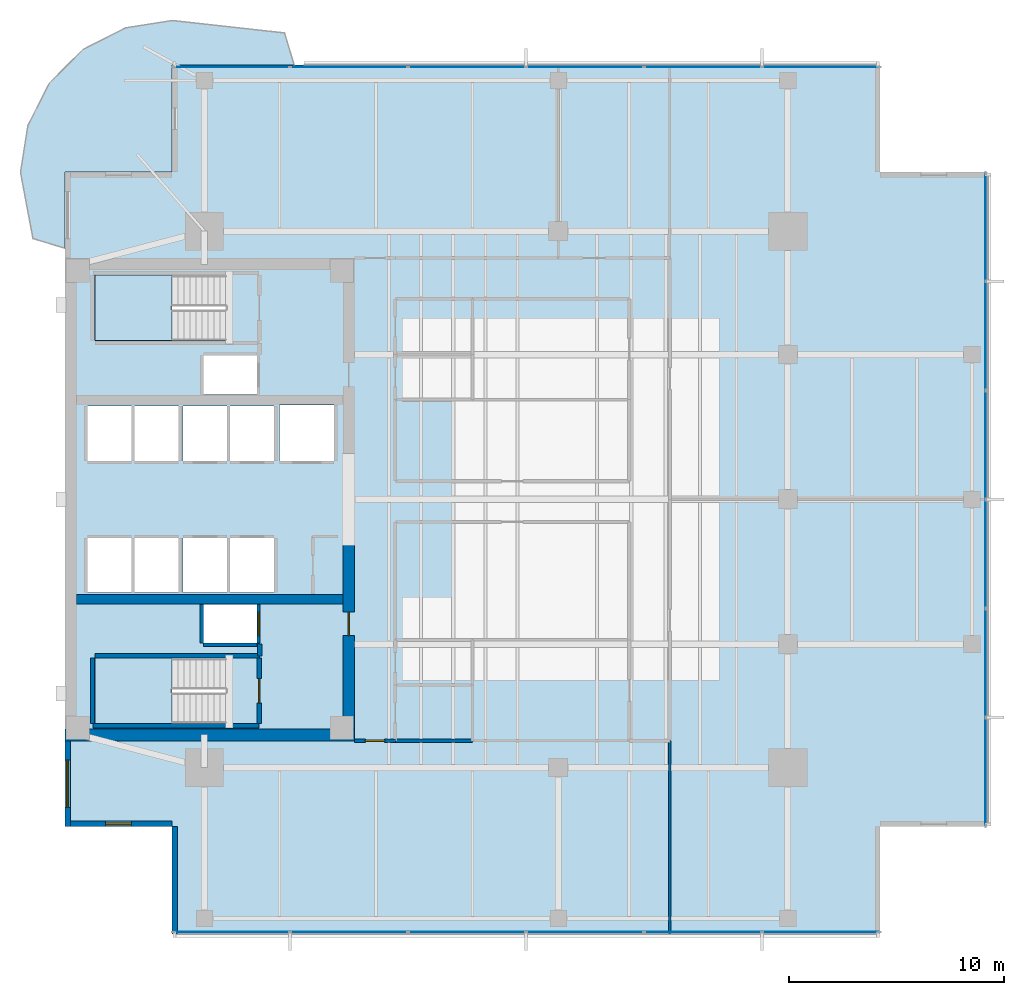
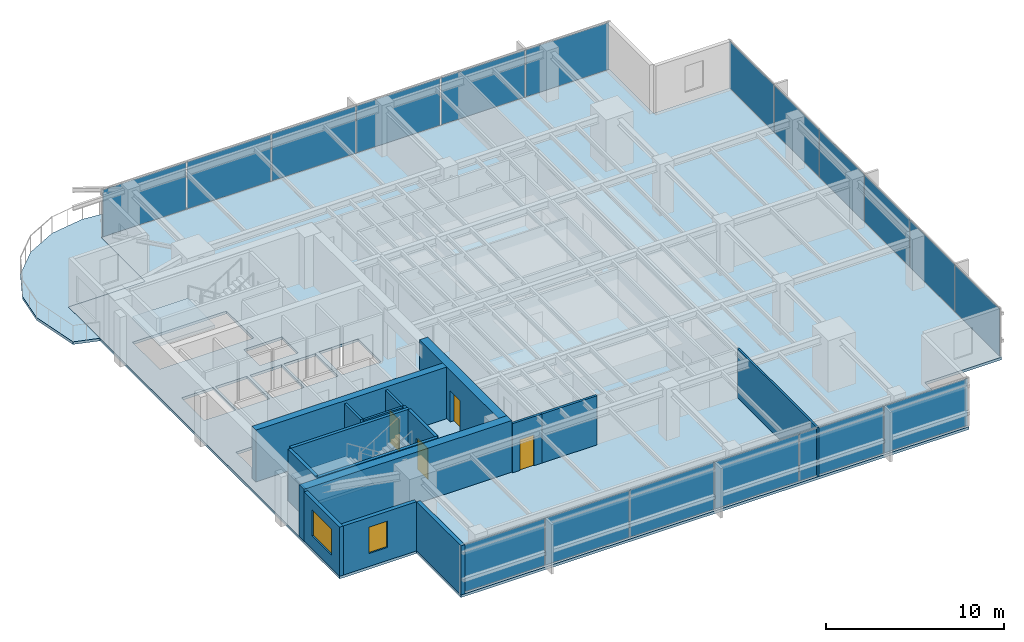
# One storey, part 7 of 14: 18 plates, 17 walls, 4 doors, 4 slabs, 2 windows, 6 openings, 5 elements without a shape of their own.
"""IFC4 building model written with IfcOpenShell, lengths in metres."""

from ifc_helpers import new_model, si_unit, direction, frame, frame_2d, origin, origin_2d, place, context, subcontext, project, spatial, polyline, rectangle, outline, extrude, material, layer, layer_set, type_object, element, fill, aggregate, save


model = new_model("IFC4")

# Units and contexts
model_context = context("Model", 3, precision=1e-05, world=origin(), true_north=direction((0.0, 1.0)))
body_context = subcontext(model_context, "Body", "Model", "MODEL_VIEW")
ifc_project = project(units=[si_unit("LENGTHUNIT", "METRE"), si_unit("AREAUNIT", "SQUARE_METRE"), si_unit("VOLUMEUNIT", "CUBIC_METRE"), si_unit("PLANEANGLEUNIT", "RADIAN"), si_unit("MASSUNIT", "GRAM", prefix="KILO")], contexts=[model_context])

# Site, building, storey
site_placement = place(None, origin())
site = spatial("IfcSite", under=ifc_project, at=site_placement, CompositionType="ELEMENT")
building_placement = place(site_placement, origin())
building = spatial("IfcBuilding", under=site, at=building_placement, Name="Kinhvarn Gate Tower", CompositionType="ELEMENT")
storey_placement = place(building_placement, frame((0.0, 0.0, 188.050048828125)))
storey = spatial("IfcBuildingStorey", under=building, at=storey_placement, Name="L49", CompositionType="ELEMENT", Elevation=188.050048828125)

# Curtain wall, plates
ifc_material_1 = material(Name="Anodised aluminium AW-6063", Category="aluminium")
ifc_layer_1 = layer(ifc_material_1, 0.179931640625)
ifc_layer_set_1 = layer_set([ifc_layer_1], Name="Anodised aluminium AW-6063")
curtain_wall_type = type_object("IfcCurtainWallType", Name="CW-SYS-3", PredefinedType="NOTDEFINED", material=ifc_layer_set_1)
curtain_wall_1_placement = place(storey_placement, origin())
curtain_wall_1 = element("IfcCurtainWall", 1, at=curtain_wall_1_placement, inside=storey, type_object=curtain_wall_type, Name="Curtain Wall CW3 (L49)", PredefinedType="NOTDEFINED")
ifc_material_2 = material(Name="Clear low-e double glazing", Category="glass")
ifc_layer_2 = layer(ifc_material_2, 0.031982421875)
ifc_layer_set_2 = layer_set([ifc_layer_2], Name="Clear low-e double glazing")
plate_type = type_object("IfcPlateType", Name="CW-PNL-VIS", PredefinedType="CURTAIN_PANEL", material=ifc_layer_set_2)
plate_1_placement = place(storey_placement, frame((12.266357421875, 5.090087890625, 0.070068359375), z_axis=(0.0, 0.0, 1.0), x_axis=(1.0, 0.0, 0.0)))
plate_1 = element("IfcPlate", 2, at=plate_1_placement, type_object=plate_type, Name="CW3 panel 1.1", PredefinedType="CURTAIN_PANEL", context=body_context, shape_type="SweptSolid", body=[
    extrude(rectangle(XDim=5.402587890625, YDim=0.031982421875, at=origin_2d()), origin(), (0.0, 0.0, 1.0), 3.22998046875),
])
plate_2_placement = place(storey_placement, frame((17.75, 5.090087890625, 0.070068359375), z_axis=(0.0, 0.0, 1.0), x_axis=(1.0, 0.0, 0.0)))
plate_2 = element("IfcPlate", 3, at=plate_2_placement, type_object=plate_type, Name="CW3 panel 2.1", PredefinedType="CURTAIN_PANEL", context=body_context, shape_type="SweptSolid", body=[
    extrude(rectangle(XDim=5.43505859375, YDim=0.031982421875, at=origin_2d()), origin(), (0.0, 0.0, 1.0), 3.22998046875),
])
plate_3_placement = place(storey_placement, frame((23.25, 5.090087890625, 0.070068359375), z_axis=(0.0, 0.0, 1.0), x_axis=(1.0, 0.0, 0.0)))
plate_3 = element("IfcPlate", 4, at=plate_3_placement, type_object=plate_type, Name="CW3 panel 3.1", PredefinedType="CURTAIN_PANEL", context=body_context, shape_type="SweptSolid", body=[
    extrude(rectangle(XDim=5.43505859375, YDim=0.031982421875, at=origin_2d()), origin(), (0.0, 0.0, 1.0), 3.22998046875),
])
plate_4_placement = place(storey_placement, frame((28.75, 5.090087890625, 0.070068359375), z_axis=(0.0, 0.0, 1.0), x_axis=(1.0, 0.0, 0.0)))
plate_4 = element("IfcPlate", 5, at=plate_4_placement, type_object=plate_type, Name="CW3 panel 4.1", PredefinedType="CURTAIN_PANEL", context=body_context, shape_type="SweptSolid", body=[
    extrude(rectangle(XDim=5.43505859375, YDim=0.031982421875, at=origin_2d()), origin(), (0.0, 0.0, 1.0), 3.22998046875),
])
plate_5_placement = place(storey_placement, frame((34.25, 5.090087890625, 0.070068359375), z_axis=(0.0, 0.0, 1.0), x_axis=(1.0, 0.0, 0.0)))
plate_5 = element("IfcPlate", 6, at=plate_5_placement, type_object=plate_type, Name="CW3 panel 5.1", PredefinedType="CURTAIN_PANEL", context=body_context, shape_type="SweptSolid", body=[
    extrude(rectangle(XDim=5.43505859375, YDim=0.031982421875, at=origin_2d()), origin(), (0.0, 0.0, 1.0), 3.22998046875),
])
plate_6_placement = place(storey_placement, frame((39.733642578125, 5.090087890625, 0.070068359375), z_axis=(0.0, 0.0, 1.0), x_axis=(1.0, 0.0, 0.0)))
plate_6 = element("IfcPlate", 7, at=plate_6_placement, type_object=plate_type, Name="CW3 panel 6.1", PredefinedType="CURTAIN_PANEL", context=body_context, shape_type="SweptSolid", body=[
    extrude(rectangle(XDim=5.402587890625, YDim=0.031982421875, at=origin_2d()), origin(), (0.0, 0.0, 1.0), 3.22998046875),
])
aggregate(curtain_wall_1, [plate_1, plate_2, plate_3, plate_4, plate_5, plate_6])

curtain_wall_2_placement = place(storey_placement, origin())
curtain_wall_2 = element("IfcCurtainWall", 8, at=curtain_wall_2_placement, inside=storey, type_object=curtain_wall_type, Name="Curtain Wall CW3 (L49)", PredefinedType="NOTDEFINED")
plate_7_placement = place(storey_placement, frame((39.733642578125, 45.409912109375, 0.070068359375), z_axis=(0.0, 0.0, 1.0), x_axis=(-1.0, 0.0, 0.0)))
plate_7 = element("IfcPlate", 9, at=plate_7_placement, type_object=plate_type, Name="CW3 panel 1.1", PredefinedType="CURTAIN_PANEL", context=body_context, shape_type="SweptSolid", body=[
    extrude(rectangle(XDim=5.402587890625, YDim=0.031982421875, at=origin_2d()), origin(), (0.0, 0.0, 1.0), 3.22998046875),
])
plate_8_placement = place(storey_placement, frame((34.25, 45.409912109375, 0.070068359375), z_axis=(0.0, 0.0, 1.0), x_axis=(-1.0, 0.0, 0.0)))
plate_8 = element("IfcPlate", 10, at=plate_8_placement, type_object=plate_type, Name="CW3 panel 2.1", PredefinedType="CURTAIN_PANEL", context=body_context, shape_type="SweptSolid", body=[
    extrude(rectangle(XDim=5.43505859375, YDim=0.031982421875, at=origin_2d()), origin(), (0.0, 0.0, 1.0), 3.22998046875),
])
plate_9_placement = place(storey_placement, frame((28.75, 45.409912109375, 0.070068359375), z_axis=(0.0, 0.0, 1.0), x_axis=(-1.0, 0.0, 0.0)))
plate_9 = element("IfcPlate", 11, at=plate_9_placement, type_object=plate_type, Name="CW3 panel 3.1", PredefinedType="CURTAIN_PANEL", context=body_context, shape_type="SweptSolid", body=[
    extrude(rectangle(XDim=5.43505859375, YDim=0.031982421875, at=origin_2d()), origin(), (0.0, 0.0, 1.0), 3.22998046875),
])
plate_10_placement = place(storey_placement, frame((23.25, 45.409912109375, 0.070068359375), z_axis=(0.0, 0.0, 1.0), x_axis=(-1.0, 0.0, 0.0)))
plate_10 = element("IfcPlate", 12, at=plate_10_placement, type_object=plate_type, Name="CW3 panel 4.1", PredefinedType="CURTAIN_PANEL", context=body_context, shape_type="SweptSolid", body=[
    extrude(rectangle(XDim=5.43505859375, YDim=0.031982421875, at=origin_2d()), origin(), (0.0, 0.0, 1.0), 3.22998046875),
])
plate_11_placement = place(storey_placement, frame((17.75, 45.409912109375, 0.070068359375), z_axis=(0.0, 0.0, 1.0), x_axis=(-1.0, 0.0, 0.0)))
plate_11 = element("IfcPlate", 13, at=plate_11_placement, type_object=plate_type, Name="CW3 panel 5.1", PredefinedType="CURTAIN_PANEL", context=body_context, shape_type="SweptSolid", body=[
    extrude(rectangle(XDim=5.43505859375, YDim=0.031982421875, at=origin_2d()), origin(), (0.0, 0.0, 1.0), 3.22998046875),
])
plate_12_placement = place(storey_placement, frame((12.266357421875, 45.409912109375, 0.070068359375), z_axis=(0.0, 0.0, 1.0), x_axis=(-1.0, 0.0, 0.0)))
plate_12 = element("IfcPlate", 14, at=plate_12_placement, type_object=plate_type, Name="CW3 panel 6.1", PredefinedType="CURTAIN_PANEL", context=body_context, shape_type="SweptSolid", body=[
    extrude(rectangle(XDim=5.402587890625, YDim=0.031982421875, at=origin_2d()), origin(), (0.0, 0.0, 1.0), 3.22998046875),
])
aggregate(curtain_wall_2, [plate_7, plate_8, plate_9, plate_10, plate_11, plate_12])

curtain_wall_3_placement = place(storey_placement, origin())
curtain_wall_3 = element("IfcCurtainWall", 15, at=curtain_wall_3_placement, inside=storey, type_object=curtain_wall_type, Name="Curtain Wall CW3 (L49)", PredefinedType="NOTDEFINED")
plate_13_placement = place(storey_placement, frame((47.409912109375, 12.557861328125, 0.070068359375), z_axis=(0.0, 0.0, 1.0), x_axis=(0.0, 1.0, 0.0)))
plate_13 = element("IfcPlate", 16, at=plate_13_placement, type_object=plate_type, Name="CW3 panel 1.1", PredefinedType="CURTAIN_PANEL", context=body_context, shape_type="SweptSolid", body=[
    extrude(rectangle(XDim=4.98583984375, YDim=0.031982421875, at=origin_2d()), origin(), (0.0, 0.0, 1.0), 3.22998046875),
])
plate_14_placement = place(storey_placement, frame((47.409912109375, 17.625, 0.070068359375), z_axis=(0.0, 0.0, 1.0), x_axis=(0.0, 1.0, 0.0)))
plate_14 = element("IfcPlate", 17, at=plate_14_placement, type_object=plate_type, Name="CW3 panel 2.1", PredefinedType="CURTAIN_PANEL", context=body_context, shape_type="SweptSolid", body=[
    extrude(rectangle(XDim=5.018310546875, YDim=0.031982421875, at=origin_2d()), origin(), (0.0, 0.0, 1.0), 3.22998046875),
])
plate_15_placement = place(storey_placement, frame((47.409912109375, 22.708251953125, 0.070068359375), z_axis=(0.0, 0.0, 1.0), x_axis=(0.0, 1.0, 0.0)))
plate_15 = element("IfcPlate", 18, at=plate_15_placement, type_object=plate_type, Name="CW3 panel 3.1", PredefinedType="CURTAIN_PANEL", context=body_context, shape_type="SweptSolid", body=[
    extrude(rectangle(XDim=5.018310546875, YDim=0.031982421875, at=origin_2d()), origin(), (0.0, 0.0, 1.0), 3.22998046875),
])
plate_16_placement = place(storey_placement, frame((47.409912109375, 27.791748046875, 0.070068359375), z_axis=(0.0, 0.0, 1.0), x_axis=(0.0, 1.0, 0.0)))
plate_16 = element("IfcPlate", 19, at=plate_16_placement, type_object=plate_type, Name="CW3 panel 4.1", PredefinedType="CURTAIN_PANEL", context=body_context, shape_type="SweptSolid", body=[
    extrude(rectangle(XDim=5.018310546875, YDim=0.031982421875, at=origin_2d()), origin(), (0.0, 0.0, 1.0), 3.22998046875),
])
plate_17_placement = place(storey_placement, frame((47.409912109375, 32.875, 0.070068359375), z_axis=(0.0, 0.0, 1.0), x_axis=(0.0, 1.0, 0.0)))
plate_17 = element("IfcPlate", 20, at=plate_17_placement, type_object=plate_type, Name="CW3 panel 5.1", PredefinedType="CURTAIN_PANEL", context=body_context, shape_type="SweptSolid", body=[
    extrude(rectangle(XDim=5.018310546875, YDim=0.031982421875, at=origin_2d()), origin(), (0.0, 0.0, 1.0), 3.22998046875),
])
plate_18_placement = place(storey_placement, frame((47.409912109375, 37.942138671875, 0.070068359375), z_axis=(0.0, 0.0, 1.0), x_axis=(0.0, 1.0, 0.0)))
plate_18 = element("IfcPlate", 21, at=plate_18_placement, type_object=plate_type, Name="CW3 panel 6.1", PredefinedType="CURTAIN_PANEL", context=body_context, shape_type="SweptSolid", body=[
    extrude(rectangle(XDim=4.98583984375, YDim=0.031982421875, at=origin_2d()), origin(), (0.0, 0.0, 1.0), 3.22998046875),
])
aggregate(curtain_wall_3, [plate_13, plate_14, plate_15, plate_16, plate_17, plate_18])

# Slabs
ifc_material_3 = material(Name="Precast white architectural concrete C40/50", Category="concrete")
ifc_layer_3 = layer(ifc_material_3, 0.179931640625)
ifc_layer_set_3 = layer_set([ifc_layer_3], Name="Precast white architectural concrete C40/50")
slab_type_1 = type_object("IfcSlabType", Name="SLB-BAL-180", PredefinedType="FLOOR", material=ifc_layer_set_3)
slab_1_placement = place(storey_placement, frame((0.0, 0.0, -0.179931640625)))
element("IfcSlab", 22, at=slab_1_placement, inside=storey, type_object=slab_type_1, Name="S-Carve Curved Terrace Balcony Slab L49 (NW)", PredefinedType="FLOOR", context=body_context, shape_type="SweptSolid", body=[
    extrude(outline(polyline([(15.18505859375, 45.5), (14.735107421875, 46.990478515625), (9.5, 47.570068359375), (7.315185546875, 47.22412109375), (5.344482421875, 46.2197265625), (3.7802734375, 44.655517578125), (2.77587890625, 42.684814453125), (2.429931640625, 40.5), (3.009521484375, 37.407958984375), (4.5, 36.9580078125), (4.5, 40.5), (9.5, 40.5), (9.5, 45.5), (15.18505859375, 45.5)])), origin(), (0.0, 0.0, 1.0), 0.179931640625),
])
ifc_material_4 = material(Name="Concrete C40/50", Category="concrete")
ifc_layer_4 = layer(ifc_material_4, 0.179931640625)
ifc_layer_set_4 = layer_set([ifc_layer_4], Name="Concrete C40/50")
slab_type_2 = type_object("IfcSlabType", Name="SLB-FLR-180", PredefinedType="FLOOR", material=ifc_layer_set_4)
slab_2_placement = place(storey_placement, frame((0.0, 0.0, -0.179931640625)))
element("IfcSlab", 23, at=slab_2_placement, inside=storey, type_object=slab_type_2, Name="Suspended Floor Slab L49", PredefinedType="FLOOR", context=body_context, shape_type="SweptSolid", body=[
    extrude(outline(polyline([(9.5, 5.0), (42.5, 5.0), (42.5, 10.0), (47.5, 10.0), (47.5, 40.5), (42.5, 40.5), (42.5, 45.5), (9.5, 45.5), (9.5, 40.5), (4.5, 40.5), (4.5, 10.0), (9.5, 10.0), (9.5, 5.0)]), holes=[polyline([(5.89990234375, 14.800048828125), (12.0, 14.800048828125), (12.0, 17.85009765625), (5.89990234375, 17.85009765625), (5.89990234375, 14.800048828125)]), polyline([(5.89990234375, 32.64990234375), (12.0, 32.64990234375), (12.0, 35.699951171875), (5.89990234375, 35.699951171875), (5.89990234375, 32.64990234375)]), polyline([(5.550048828125, 20.89990234375), (7.60009765625, 20.89990234375), (7.60009765625, 23.449951171875), (5.550048828125, 23.449951171875), (5.550048828125, 20.89990234375)]), polyline([(7.75, 20.89990234375), (9.800048828125, 20.89990234375), (9.800048828125, 23.449951171875), (7.75, 23.449951171875), (7.75, 20.89990234375)]), polyline([(5.550048828125, 27.050048828125), (7.60009765625, 27.050048828125), (7.60009765625, 29.60009765625), (5.550048828125, 29.60009765625), (5.550048828125, 27.050048828125)]), polyline([(7.75, 27.050048828125), (9.800048828125, 27.050048828125), (9.800048828125, 29.60009765625), (7.75, 29.60009765625), (7.75, 27.050048828125)]), polyline([(10.0, 20.89990234375), (12.050048828125, 20.89990234375), (12.050048828125, 23.449951171875), (10.0, 23.449951171875), (10.0, 20.89990234375)]), polyline([(12.199951171875, 20.89990234375), (14.25, 20.89990234375), (14.25, 23.449951171875), (12.199951171875, 23.449951171875), (12.199951171875, 20.89990234375)]), polyline([(10.0, 27.050048828125), (12.050048828125, 27.050048828125), (12.050048828125, 29.60009765625), (10.0, 29.60009765625), (10.0, 27.050048828125)]), polyline([(12.199951171875, 27.050048828125), (14.25, 27.050048828125), (14.25, 29.60009765625), (12.199951171875, 29.60009765625), (12.199951171875, 27.050048828125)]), polyline([(14.5, 27.050048828125), (17.050048828125, 27.050048828125), (17.050048828125, 29.64990234375), (14.5, 29.64990234375), (14.5, 27.050048828125)]), polyline([(10.949951171875, 18.550048828125), (13.449951171875, 18.550048828125), (13.449951171875, 20.35009765625), (10.949951171875, 20.35009765625), (10.949951171875, 18.550048828125)]), polyline([(10.949951171875, 30.14990234375), (13.449951171875, 30.14990234375), (13.449951171875, 31.949951171875), (10.949951171875, 31.949951171875), (10.949951171875, 30.14990234375)])]), origin(), (0.0, 0.0, 1.0), 0.179931640625),
])

# Stair, slab
stair_type = type_object("IfcStairType", Name="STR-DLG-177", PredefinedType="HALF_TURN_STAIR", material=ifc_material_4)
stair_1_placement = place(storey_placement, origin())
stair_1 = element("IfcStair", 24, at=stair_1_placement, inside=storey, type_object=stair_type, Name="L49 Core Smokeproof Exit Stair ST1", PredefinedType="HALF_TURN_STAIR")
ifc_layer_5 = layer(ifc_material_4, 0.199951171875)
ifc_layer_set_5 = layer_set([ifc_layer_5], Name="Concrete C40/50")
slab_type_3 = type_object("IfcSlabType", Name="SLB-ST-LND", PredefinedType="LANDING", material=ifc_layer_set_5)
slab_3_placement = place(storey_placement, frame((0.0, 0.0, 1.574951171875)))
slab_3 = element("IfcSlab", 25, at=slab_3_placement, type_object=slab_type_3, Name="ST1 landing 1", PredefinedType="LANDING", context=body_context, shape_type="SweptSolid", body=[
    extrude(outline(polyline([(9.47998046875, 17.85009765625), (5.89990234375, 17.85009765625), (5.89990234375, 14.800048828125), (9.47998046875, 14.800048828125), (9.47998046875, 17.85009765625)])), origin(), (0.0, 0.0, 1.0), 0.199951171875),
])
aggregate(stair_1, [slab_3])

stair_2_placement = place(storey_placement, origin())
stair_2 = element("IfcStair", 26, at=stair_2_placement, inside=storey, type_object=stair_type, Name="L49 Core Smokeproof Exit Stair ST2", PredefinedType="HALF_TURN_STAIR")
slab_4_placement = place(storey_placement, frame((0.0, 0.0, 1.574951171875)))
slab_4 = element("IfcSlab", 27, at=slab_4_placement, type_object=slab_type_3, Name="ST2 landing 1", PredefinedType="LANDING", context=body_context, shape_type="SweptSolid", body=[
    extrude(outline(polyline([(9.47998046875, 35.699951171875), (5.89990234375, 35.699951171875), (5.89990234375, 32.64990234375), (9.47998046875, 32.64990234375), (9.47998046875, 35.699951171875)])), origin(), (0.0, 0.0, 1.0), 0.199951171875),
])
aggregate(stair_2, [slab_4])

# Walls
ifc_material_5 = material(Name="Concrete C50/60", Category="concrete")
ifc_layer_6 = layer(ifc_material_5, 0.449951171875)
ifc_layer_set_6 = layer_set([ifc_layer_6], Name="Concrete C50/60")
wall_type_1 = type_object("IfcWallType", Name="WL-CORE-450", PredefinedType="SHEAR", material=ifc_layer_set_6)
wall_1_placement = place(storey_placement, frame((5.050048828125, 20.60009765625, 0.0), z_axis=(0.0, 0.0, 1.0), x_axis=(1.0, 0.0, 0.0)))
element("IfcWall", 28, at=wall_1_placement, inside=storey, type_object=wall_type_1, Name="Core South Spine Shear Wall L49 450 mm", PredefinedType="SHEAR", context=body_context, shape_type="SweptSolid", body=[
    extrude(rectangle(XDim=12.39990234375, YDim=0.449951171875, at=frame_2d((6.199951171875, 0.0))), origin(), (0.0, 0.0, 1.0), 3.550048828125),
])
ifc_material_6 = material(Name="Concrete C60/75", Category="concrete")
ifc_layer_7 = layer(ifc_material_6, 0.550048828125)
ifc_layer_set_7 = layer_set([ifc_layer_7], Name="Concrete C60/75")
wall_type_2 = type_object("IfcWallType", Name="WL-CORE-550", PredefinedType="SHEAR", material=ifc_layer_set_7)
wall_2_placement = place(storey_placement, frame((4.5, 14.27490234375, 0.0), z_axis=(0.0, 0.0, 1.0), x_axis=(1.0, 0.0, 0.0)))
element("IfcWall", 29, at=wall_2_placement, inside=storey, type_object=wall_type_2, Name="Core South Shear Wall L49 550 mm", PredefinedType="SHEAR", context=body_context, shape_type="SweptSolid", body=[
    extrude(rectangle(XDim=13.5, YDim=0.550048828125, at=frame_2d((6.75, 0.0))), origin(), (0.0, 0.0, 1.0), 3.550048828125),
])

# Wall, opening, door
wall_3_placement = place(storey_placement, frame((17.72509765625, 14.550048828125, 0.0), z_axis=(0.0, 0.0, 1.0), x_axis=(0.0, 1.0, 0.0)))
wall_3 = element("IfcWall", 30, at=wall_3_placement, inside=storey, type_object=wall_type_2, Name="Core East-South Shear Pier L49 550 mm", PredefinedType="SHEAR", context=body_context, shape_type="SweptSolid", body=[
    extrude(rectangle(XDim=8.89990234375, YDim=0.550048828125, at=frame_2d((4.449951171875, 0.0))), origin(), (0.0, 0.0, 1.0), 3.550048828125),
])
opening_1_placement = place(wall_3_placement, frame((4.35009765625, 0.0, 0.0)))
opening_1 = element("IfcOpeningElement", 31, at=opening_1_placement, cuts=wall_3, Name="Opening FD-02", PredefinedType="OPENING", context=body_context, shape_type="SweptSolid", body=[
    extrude(rectangle(XDim=1.10009765625, YDim=2.14990234375, at=frame_2d((0.550048828125, 1.074951171875))), frame((0.0, 0.28515625, 0.0), z_axis=(0.0, -1.0, 0.0), x_axis=(1.0, 0.0, 0.0)), (0.0, 0.0, 1.0), 0.570068359375),
])
door_type_1 = type_object("IfcDoorType", Name="DR-FD-1100", OperationType="NOTDEFINED", PredefinedType="DOOR", material=ifc_material_1)
door_1_placement = place(opening_1_placement, origin())
door_1 = element("IfcDoor", 32, at=door_1_placement, inside=storey, type_object=door_type_1, Name="Firefighting Lobby Core Door (L49)", OperationType="SINGLE_SWING_RIGHT", OverallHeight=2.14990234375, OverallWidth=1.10009765625, PredefinedType="DOOR", context=body_context, shape_type="SweptSolid", body=[
    extrude(rectangle(XDim=1.10009765625, YDim=2.14990234375, at=frame_2d((0.550048828125, 1.074951171875))), frame((0.0, 0.02490234375, 0.0), z_axis=(0.0, -1.0, 0.0), x_axis=(1.0, 0.0, 0.0)), (0.0, 0.0, 1.0), 0.050048828125),
])
fill(opening_1, door_1)

# Wall, opening, window
ifc_material_7 = material(Name="Fired architectural terracotta", Category="masonry")
ifc_layer_8 = layer(ifc_material_7, 0.25)
ifc_layer_set_8 = layer_set([ifc_layer_8], Name="Fired architectural terracotta")
wall_type_3 = type_object("IfcWallType", Name="WL-EXT-250", PredefinedType="SOLIDWALL", material=ifc_layer_set_8)
wall_4_placement = place(storey_placement, frame((4.625, 14.0, 0.0), z_axis=(0.0, 0.0, 1.0), x_axis=(0.0, -1.0, 0.0)))
wall_4 = element("IfcWall", 33, at=wall_4_placement, inside=storey, type_object=wall_type_3, Name="Exterior Solidwall Wall EW-250 (L49 West-South)", PredefinedType="SOLIDWALL", context=body_context, shape_type="SweptSolid", body=[
    extrude(rectangle(XDim=4.0, YDim=0.25, at=frame_2d((2.0, 0.0))), origin(), (0.0, 0.0, 1.0), 3.369873046875),
])
opening_2_placement = place(wall_4_placement, frame((0.89990234375, 0.0, 0.89990234375)))
opening_2 = element("IfcOpeningElement", 34, at=opening_2_placement, cuts=wall_4, Name="Opening WN-01", PredefinedType="OPENING", context=body_context, shape_type="SweptSolid", body=[
    extrude(rectangle(XDim=2.199951171875, YDim=1.800048828125, at=frame_2d((1.10009765625, 0.89990234375))), frame((0.0, 0.135009765625, 0.0), z_axis=(0.0, -1.0, 0.0), x_axis=(1.0, 0.0, 0.0)), (0.0, 0.0, 1.0), 0.27001953125),
])
window_type_1 = type_object("IfcWindowType", Name="WIN-RIB-2200", PartitioningType="SINGLE_PANEL", PredefinedType="WINDOW", material=ifc_material_2)
window_1_placement = place(opening_2_placement, origin())
window_1 = element("IfcWindow", 35, at=window_1_placement, inside=storey, type_object=window_type_1, Name="West Flank Double-Glazed Ribbon Window 2200x1800 mm (L49)", OverallHeight=1.800048828125, OverallWidth=2.199951171875, PartitioningType="SINGLE_PANEL", PredefinedType="WINDOW", context=body_context, shape_type="SweptSolid", body=[
    extrude(rectangle(XDim=2.199951171875, YDim=1.800048828125, at=frame_2d((1.10009765625, 0.89990234375))), frame((0.0, 0.030029296875, 0.0), z_axis=(0.0, -1.0, 0.0), x_axis=(1.0, 0.0, 0.0)), (0.0, 0.0, 1.0), 0.06005859375),
])
fill(opening_2, window_1)

wall_5_placement = place(storey_placement, frame((4.5, 10.125, 0.0), z_axis=(0.0, 0.0, 1.0), x_axis=(1.0, 0.0, 0.0)))
wall_5 = element("IfcWall", 36, at=wall_5_placement, inside=storey, type_object=wall_type_3, Name="Exterior Solidwall Wall EW-250 (L49 SW-Notch-1)", PredefinedType="SOLIDWALL", context=body_context, shape_type="SweptSolid", body=[
    extrude(rectangle(XDim=5.0, YDim=0.25, at=frame_2d((2.5, 0.0))), origin(), (0.0, 0.0, 1.0), 3.369873046875),
])
opening_3_placement = place(wall_5_placement, frame((1.89990234375, 0.0, 0.89990234375)))
opening_3 = element("IfcOpeningElement", 37, at=opening_3_placement, cuts=wall_5, Name="Opening WN-02", PredefinedType="OPENING", context=body_context, shape_type="SweptSolid", body=[
    extrude(rectangle(XDim=1.199951171875, YDim=1.800048828125, at=frame_2d((0.60009765625, 0.89990234375))), frame((0.0, 0.135009765625, 0.0), z_axis=(0.0, -1.0, 0.0), x_axis=(1.0, 0.0, 0.0)), (0.0, 0.0, 1.0), 0.27001953125),
])
window_type_2 = type_object("IfcWindowType", Name="WIN-NTC-1200", PartitioningType="SINGLE_PANEL", PredefinedType="WINDOW", material=ifc_material_2)
window_2_placement = place(opening_3_placement, origin())
window_2 = element("IfcWindow", 38, at=window_2_placement, inside=storey, type_object=window_type_2, Name="Recessed Corner Notch Punched Window 1200x1800 mm (L49)", OverallHeight=1.800048828125, OverallWidth=1.199951171875, PartitioningType="SINGLE_PANEL", PredefinedType="WINDOW", context=body_context, shape_type="SweptSolid", body=[
    extrude(rectangle(XDim=1.199951171875, YDim=1.800048828125, at=frame_2d((0.60009765625, 0.89990234375))), frame((0.0, 0.030029296875, 0.0), z_axis=(0.0, -1.0, 0.0), x_axis=(1.0, 0.0, 0.0)), (0.0, 0.0, 1.0), 0.06005859375),
])
fill(opening_3, window_2)

# Walls
wall_6_placement = place(storey_placement, frame((9.625, 10.0, 0.0), z_axis=(0.0, 0.0, 1.0), x_axis=(0.0, -1.0, 0.0)))
element("IfcWall", 39, at=wall_6_placement, inside=storey, type_object=wall_type_3, Name="Exterior Solidwall Wall EW-250 (L49 SW-Notch-2)", PredefinedType="SOLIDWALL", context=body_context, shape_type="SweptSolid", body=[
    extrude(rectangle(XDim=5.0, YDim=0.25, at=frame_2d((2.5, 0.0))), origin(), (0.0, 0.0, 1.0), 3.369873046875),
])
ifc_material_8 = material(Name="Gypsum acoustic partition board")
ifc_layer_9 = layer(ifc_material_8, 0.14990234375)
ifc_layer_set_9 = layer_set([ifc_layer_9], Name="Gypsum acoustic partition board")
wall_type_4 = type_object("IfcWallType", Name="WL-PLM-150", PredefinedType="PLUMBINGWALL", material=ifc_layer_set_9)
wall_7_placement = place(storey_placement, frame((19.89990234375, 14.0, 0.0), z_axis=(0.0, 0.0, 1.0), x_axis=(1.0, 0.0, 0.0)))
element("IfcWall", 40, at=wall_7_placement, inside=storey, type_object=wall_type_4, Name="Interior Partition PLW-150 (L49)", PredefinedType="PLUMBINGWALL", context=body_context, shape_type="SweptSolid", body=[
    extrude(rectangle(XDim=3.60009765625, YDim=0.14990234375, at=frame_2d((1.800048828125, 0.0))), origin(), (0.0, 0.0, 1.0), 3.369873046875),
])
ifc_layer_10 = layer(ifc_material_8, 0.1201171875)
ifc_layer_set_10 = layer_set([ifc_layer_10], Name="Gypsum acoustic partition board")
wall_type_5 = type_object("IfcWallType", Name="WL-PRT-120", PredefinedType="PARTITIONING", material=ifc_layer_set_10)
wall_8_placement = place(storey_placement, frame((32.699951171875, 5.010009765625, 0.0), z_axis=(0.0, 0.0, 1.0), x_axis=(0.0, 1.0, 0.0)))
element("IfcWall", 41, at=wall_8_placement, inside=storey, type_object=wall_type_5, Name="Interior Partition PW-120 (L49)", PredefinedType="PARTITIONING", context=body_context, shape_type="SweptSolid", body=[
    extrude(rectangle(XDim=8.989990234375, YDim=0.1201171875, at=frame_2d((4.4951171875, 0.0))), origin(), (0.0, 0.0, 1.0), 3.369873046875),
])

# Wall, opening, door
ifc_layer_11 = layer(ifc_material_8, 0.14990234375)
ifc_layer_set_11 = layer_set([ifc_layer_11], Name="Gypsum acoustic partition board")
wall_type_6 = type_object("IfcWallType", Name="WL-PRT-150F", PredefinedType="PARTITIONING", material=ifc_layer_set_11)
wall_9_placement = place(storey_placement, frame((18.0, 14.0, 0.0), z_axis=(0.0, 0.0, 1.0), x_axis=(1.0, 0.0, 0.0)))
wall_9 = element("IfcWall", 42, at=wall_9_placement, inside=storey, type_object=wall_type_6, Name="Interior Partition PW-150F (L49)", PredefinedType="PARTITIONING", context=body_context, shape_type="SweptSolid", body=[
    extrude(rectangle(XDim=1.89990234375, YDim=0.14990234375, at=frame_2d((0.949951171875, 0.0))), origin(), (0.0, 0.0, 1.0), 3.369873046875),
])
opening_4_placement = place(wall_9_placement, frame((0.5, 0.0, 0.0)))
opening_4 = element("IfcOpeningElement", 43, at=opening_4_placement, cuts=wall_9, Name="Opening ID-03", PredefinedType="OPENING", context=body_context, shape_type="SweptSolid", body=[
    extrude(rectangle(XDim=0.89990234375, YDim=2.10009765625, at=frame_2d((0.449951171875, 1.050048828125))), frame((0.0, 0.0849609375, 0.0), z_axis=(0.0, -1.0, 0.0), x_axis=(1.0, 0.0, 0.0)), (0.0, 0.0, 1.0), 0.169921875),
])
door_type_2 = type_object("IfcDoorType", Name="DR-INT-900", OperationType="NOTDEFINED", PredefinedType="DOOR", material=ifc_material_1)
door_2_placement = place(opening_4_placement, origin())
door_2 = element("IfcDoor", 44, at=door_2_placement, inside=storey, type_object=door_type_2, Name="Cellular Office & Restroom Door 900x2100 mm (L49)", OperationType="SINGLE_SWING_RIGHT", OverallHeight=2.10009765625, OverallWidth=0.89990234375, PredefinedType="DOOR", context=body_context, shape_type="SweptSolid", body=[
    extrude(rectangle(XDim=0.89990234375, YDim=2.10009765625, at=frame_2d((0.449951171875, 1.050048828125))), frame((0.0, 0.02490234375, 0.0), z_axis=(0.0, -1.0, 0.0), x_axis=(1.0, 0.0, 0.0)), (0.0, 0.0, 1.0), 0.050048828125),
])
fill(opening_4, door_2)

# Walls
ifc_layer_12 = layer(ifc_material_8, 0.199951171875)
ifc_layer_set_12 = layer_set([ifc_layer_12], Name="Gypsum acoustic partition board")
wall_type_7 = type_object("IfcWallType", Name="WL-PRT-200", PredefinedType="PARTITIONING", material=ifc_layer_set_12)
wall_10_placement = place(storey_placement, frame((13.580078125, 17.9599609375, 0.0), z_axis=(0.0, 0.0, 1.0), x_axis=(0.0, 1.0, 0.0)))
element("IfcWall", 45, at=wall_10_placement, inside=storey, type_object=wall_type_7, Name="Interior Partition PW-200 (L49)", PredefinedType="PARTITIONING", context=body_context, shape_type="SweptSolid", body=[
    extrude(rectangle(XDim=0.5400390625, YDim=0.199951171875, at=frame_2d((0.27001953125, 0.0))), origin(), (0.0, 0.0, 1.0), 3.369873046875),
])
ifc_layer_13 = layer(ifc_material_8, 0.14990234375)
ifc_layer_set_13 = layer_set([ifc_layer_13], Name="Gypsum acoustic partition board")
wall_type_8 = type_object("IfcWallType", Name="WL-SHF-150", PredefinedType="PARTITIONING", material=ifc_layer_set_13)
wall_11_placement = place(storey_placement, frame((10.949951171875, 18.47509765625, 0.0), z_axis=(0.0, 0.0, 1.0), x_axis=(1.0, 0.0, 0.0)))
element("IfcWall", 46, at=wall_11_placement, inside=storey, type_object=wall_type_8, Name="Elevator FF1 Hoistway Wall S (L49)", PredefinedType="PARTITIONING", context=body_context, shape_type="SweptSolid", body=[
    extrude(rectangle(XDim=2.5, YDim=0.14990234375, at=frame_2d((1.25, 0.0))), origin(), (0.0, 0.0, 1.0), 3.369873046875),
])
wall_12_placement = place(storey_placement, frame((10.875, 18.550048828125, 0.0), z_axis=(0.0, 0.0, 1.0), x_axis=(0.0, 1.0, 0.0)))
element("IfcWall", 47, at=wall_12_placement, inside=storey, type_object=wall_type_8, Name="Elevator FF1 Hoistway Wall W (L49)", PredefinedType="PARTITIONING", context=body_context, shape_type="SweptSolid", body=[
    extrude(rectangle(XDim=1.800048828125, YDim=0.14990234375, at=frame_2d((0.89990234375, 0.0))), origin(), (0.0, 0.0, 1.0), 3.369873046875),
])

# Wall, opening, door
wall_13_placement = place(storey_placement, frame((13.52490234375, 18.550048828125, 0.0), z_axis=(0.0, 0.0, 1.0), x_axis=(0.0, 1.0, 0.0)))
wall_13 = element("IfcWall", 48, at=wall_13_placement, inside=storey, type_object=wall_type_8, Name="Elevator FF1 Landing Wall (L49)", PredefinedType="PARTITIONING", context=body_context, shape_type="SweptSolid", body=[
    extrude(rectangle(XDim=1.800048828125, YDim=0.14990234375, at=frame_2d((0.89990234375, 0.0))), origin(), (0.0, 0.0, 1.0), 3.369873046875),
])
opening_5_placement = place(wall_13_placement, frame((0.35009765625, 0.0, 0.0)))
opening_5 = element("IfcOpeningElement", 49, at=opening_5_placement, cuts=wall_13, Name="Opening LD-03", PredefinedType="OPENING", context=body_context, shape_type="SweptSolid", body=[
    extrude(rectangle(XDim=1.10009765625, YDim=2.199951171875, at=frame_2d((0.550048828125, 1.10009765625))), frame((0.0, 0.0849609375, 0.0), z_axis=(0.0, -1.0, 0.0), x_axis=(1.0, 0.0, 0.0)), (0.0, 0.0, 1.0), 0.169921875),
])
door_type_3 = type_object("IfcDoorType", Name="DR-LND-FF", OperationType="NOTDEFINED", PredefinedType="DOOR", material=ifc_material_1)
door_3_placement = place(opening_5_placement, origin())
door_3 = element("IfcDoor", 50, at=door_3_placement, inside=storey, type_object=door_type_3, Name="Elevator FF1 Sliding Landing Door (L49)", OperationType="DOUBLE_DOOR_SLIDING", OverallHeight=2.199951171875, OverallWidth=1.10009765625, PredefinedType="DOOR", context=body_context, shape_type="SweptSolid", body=[
    extrude(rectangle(XDim=1.10009765625, YDim=2.199951171875, at=frame_2d((0.550048828125, 1.10009765625))), frame((0.0, 0.02490234375, 0.0), z_axis=(0.0, -1.0, 0.0), x_axis=(1.0, 0.0, 0.0)), (0.0, 0.0, 1.0), 0.050048828125),
])
fill(opening_5, door_3)

# Walls
ifc_layer_14 = layer(ifc_material_4, 0.199951171875)
ifc_layer_set_14 = layer_set([ifc_layer_14], Name="Concrete C40/50")
wall_type_9 = type_object("IfcWallType", Name="WL-SHF-200", PredefinedType="SOLIDWALL", material=ifc_layer_set_14)
wall_14_placement = place(storey_placement, frame((5.800048828125, 14.699951171875, 0.0), z_axis=(0.0, 0.0, 1.0), x_axis=(1.0, 0.0, 0.0)))
element("IfcWall", 51, at=wall_14_placement, inside=storey, type_object=wall_type_9, Name="Stair ST1 South Shaft Wall (L49)", PredefinedType="SOLIDWALL", context=body_context, shape_type="SweptSolid", body=[
    extrude(rectangle(XDim=7.75, YDim=0.199951171875, at=frame_2d((3.875, 0.0))), origin(), (0.0, 0.0, 1.0), 3.550048828125),
])
wall_15_placement = place(storey_placement, frame((5.7900390625, 14.800048828125, 0.0), z_axis=(0.0, 0.0, 1.0), x_axis=(0.0, 1.0, 0.0)))
element("IfcWall", 52, at=wall_15_placement, inside=storey, type_object=wall_type_9, Name="Stair ST1 West Shaft Wall (L49)", PredefinedType="SOLIDWALL", context=body_context, shape_type="SweptSolid", body=[
    extrude(rectangle(XDim=3.050048828125, YDim=0.199951171875, at=frame_2d((1.52490234375, 0.0))), origin(), (0.0, 0.0, 1.0), 3.550048828125),
])
wall_16_placement = place(storey_placement, frame((5.89990234375, 17.9599609375, 0.0), z_axis=(0.0, 0.0, 1.0), x_axis=(1.0, 0.0, 0.0)))
element("IfcWall", 53, at=wall_16_placement, inside=storey, type_object=wall_type_9, Name="Stair ST1 North Shaft Wall (L49)", PredefinedType="SOLIDWALL", context=body_context, shape_type="SweptSolid", body=[
    extrude(rectangle(XDim=7.66015625, YDim=0.199951171875, at=frame_2d((3.830078125, 0.0))), origin(), (0.0, 0.0, 1.0), 3.550048828125),
])

# Wall, opening, door
wall_17_placement = place(storey_placement, frame((13.56005859375, 14.800048828125, 0.0), z_axis=(0.0, 0.0, 1.0), x_axis=(0.0, 1.0, 0.0)))
wall_17 = element("IfcWall", 54, at=wall_17_placement, inside=storey, type_object=wall_type_9, Name="Stair ST1 East Entry Wall (L49)", PredefinedType="SOLIDWALL", context=body_context, shape_type="SweptSolid", body=[
    extrude(rectangle(XDim=3.050048828125, YDim=0.199951171875, at=frame_2d((1.52490234375, 0.0))), origin(), (0.0, 0.0, 1.0), 3.550048828125),
])
opening_6_placement = place(wall_17_placement, frame((0.949951171875, 0.0, 0.0)))
opening_6 = element("IfcOpeningElement", 55, at=opening_6_placement, cuts=wall_17, Name="Opening FD-01", PredefinedType="OPENING", context=body_context, shape_type="SweptSolid", body=[
    extrude(rectangle(XDim=1.14990234375, YDim=2.14990234375, at=frame_2d((0.574951171875, 1.074951171875))), frame((0.0, 0.10986328125, 0.0), z_axis=(0.0, -1.0, 0.0), x_axis=(1.0, 0.0, 0.0)), (0.0, 0.0, 1.0), 0.219970703125),
])
door_type_4 = type_object("IfcDoorType", Name="DR-ST-1150", OperationType="NOTDEFINED", PredefinedType="DOOR", material=ifc_material_1)
door_4_placement = place(opening_6_placement, origin())
door_4 = element("IfcDoor", 56, at=door_4_placement, inside=storey, type_object=door_type_4, Name="Exit Stair ST1 Fire Door (L49)", OperationType="SINGLE_SWING_LEFT", OverallHeight=2.14990234375, OverallWidth=1.14990234375, PredefinedType="DOOR", context=body_context, shape_type="SweptSolid", body=[
    extrude(rectangle(XDim=1.14990234375, YDim=2.14990234375, at=frame_2d((0.574951171875, 1.074951171875))), frame((0.0, 0.02490234375, 0.0), z_axis=(0.0, -1.0, 0.0), x_axis=(1.0, 0.0, 0.0)), (0.0, 0.0, 1.0), 0.050048828125),
])
fill(opening_6, door_4)

save(model, "model.ifc")
